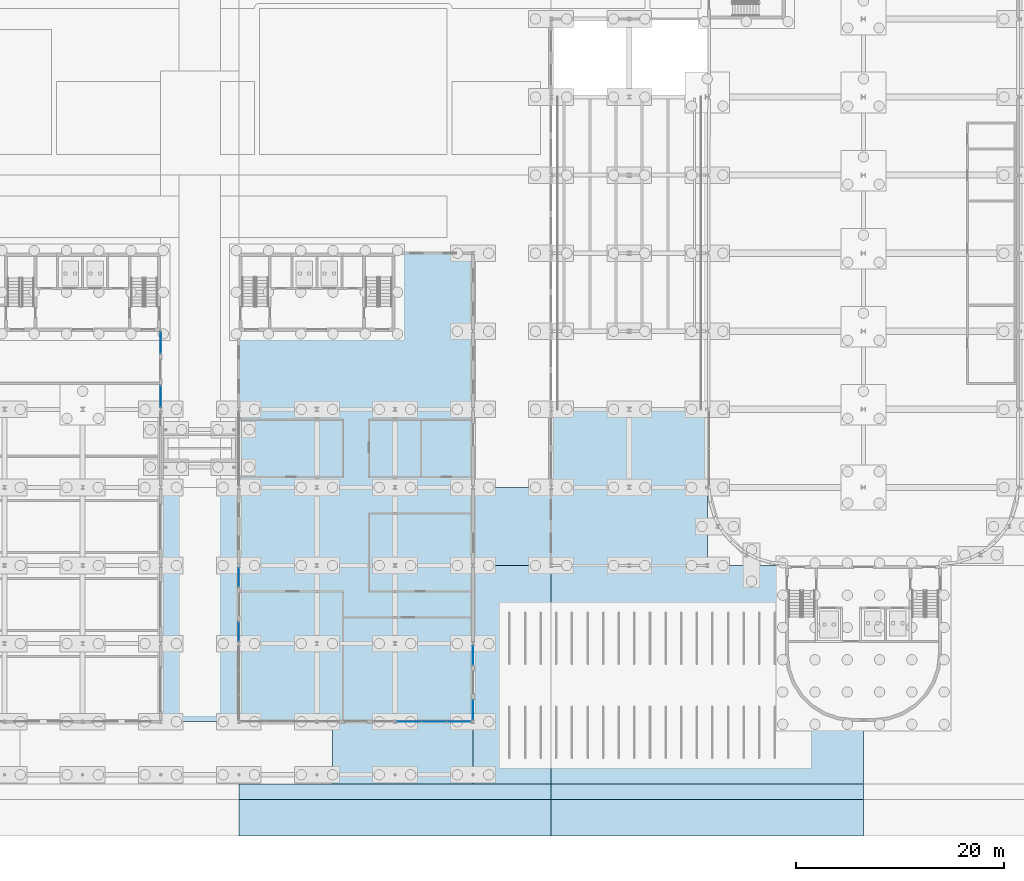
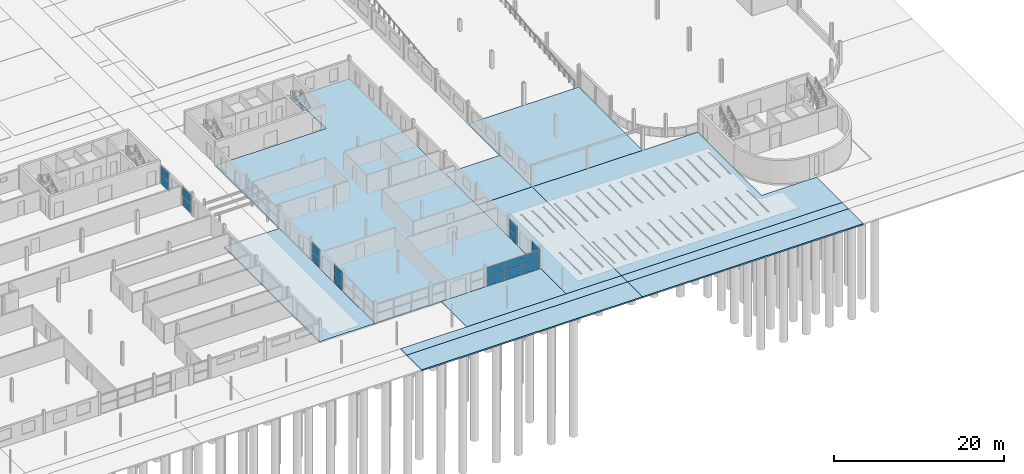
# One storey, part 71 of 130: 18 plates, 11 slabs, 7 elements without a shape of their own.
"""IFC4 building model written with IfcOpenShell, lengths in metres."""

from ifc_helpers import new_model, si_unit, direction, frame, origin, origin_2d, place, context, subcontext, project, spatial, polyline, rectangle, outline, extrude, material, layer, layer_set, type_object, element, aggregate, save


model = new_model("IFC4")

# Units and contexts
model_context = context("Model", 3, precision=1e-05, world=origin(), true_north=direction((0.0, 1.0)))
body_context = subcontext(model_context, "Body", "Model", "MODEL_VIEW")
ifc_project = project(units=[si_unit("LENGTHUNIT", "METRE"), si_unit("AREAUNIT", "SQUARE_METRE"), si_unit("VOLUMEUNIT", "CUBIC_METRE"), si_unit("PLANEANGLEUNIT", "RADIAN"), si_unit("MASSUNIT", "GRAM", prefix="KILO")], contexts=[model_context])

# Site, building, storey
site_placement = place(None, origin())
site = spatial("IfcSite", under=ifc_project, at=site_placement, CompositionType="ELEMENT")
building_placement = place(site_placement, origin())
building = spatial("IfcBuilding", under=site, at=building_placement, Name="Parallax Yard Mobility Hub", CompositionType="ELEMENT")
storey_placement = place(building_placement, origin())
storey = spatial("IfcBuildingStorey", under=building, at=storey_placement, Name="L00", CompositionType="ELEMENT", Elevation=0.0)

# Slabs
ifc_material_1 = material(Name="Concrete fc' 28 MPa", Category="concrete")
ifc_layer_1 = layer(ifc_material_1, 0.1201171875)
ifc_layer_set_1 = layer_set([ifc_layer_1], Name="Arcade floor paving 120")
slab_type_1 = type_object("IfcSlabType", Name="Arcade floor paving 120", PredefinedType="FLOOR", material=ifc_layer_set_1)
slab_1_placement = place(storey_placement, frame((0.0, 0.0, -0.1201171875)))
element("IfcSlab", 1, at=slab_1_placement, inside=storey, type_object=slab_type_1, Name="Arcade paving panel 6", PredefinedType="FLOOR", context=body_context, shape_type="SweptSolid", body=[
    extrude(outline(polyline([(172.5, 1.5), (172.5, 7.5), (159.0, 7.5), (159.0, 1.5), (172.5, 1.5)])), origin(), (0.0, 0.0, 1.0), 0.1201171875),
])
ifc_layer_2 = layer(ifc_material_1, 0.179931640625)
ifc_layer_set_2 = layer_set([ifc_layer_2], Name="Forecourt apron paving 180")
slab_type_2 = type_object("IfcSlabType", Name="Forecourt apron paving 180", PredefinedType="FLOOR", material=ifc_layer_set_2)
slab_2_placement = place(storey_placement, frame((0.0, 0.0, -0.179931640625)))
element("IfcSlab", 2, at=slab_2_placement, inside=storey, type_object=slab_type_2, Name="Forecourt apron paving panel 1", PredefinedType="FLOOR", context=body_context, shape_type="SweptSolid", body=[
    extrude(outline(polyline([(172.5, 7.4990234375), (172.5, 7.4990234375), (172.500244140625, 7.4990234375), (172.500244140625, 7.4990234375), (172.50048828125, 7.4990234375), (172.50048828125, 7.4990234375), (172.50048828125, 7.499267578125), (172.50048828125, 7.499267578125), (172.500732421875, 7.499267578125), (172.500732421875, 7.49951171875), (172.500732421875, 7.49951171875), (172.5009765625, 7.49951171875), (172.5009765625, 7.49951171875), (172.5009765625, 7.499755859375), (172.5009765625, 7.499755859375), (172.5009765625, 7.5), (172.5009765625, 7.5), (172.5009765625, 17.425048828125), (172.5009765625, 17.425048828125), (172.5009765625, 17.42529296875), (172.5009765625, 17.42529296875), (172.5009765625, 17.42529296875), (172.5009765625, 17.425537109375), (172.500732421875, 17.425537109375), (172.500732421875, 17.425537109375), (172.500732421875, 17.42578125), (172.50048828125, 17.42578125), (172.50048828125, 17.42578125), (172.50048828125, 17.42578125), (172.50048828125, 17.42578125), (172.500244140625, 17.426025390625), (172.500244140625, 17.426025390625), (172.5, 17.426025390625), (172.5, 17.426025390625), (172.5, 17.573974609375), (172.5, 17.573974609375), (172.500244140625, 17.573974609375), (172.500244140625, 17.573974609375), (172.50048828125, 17.57421875), (172.50048828125, 17.57421875), (172.50048828125, 17.57421875), (172.50048828125, 17.57421875), (172.500732421875, 17.57421875), (172.500732421875, 17.574462890625), (172.500732421875, 17.574462890625), (172.5009765625, 17.574462890625), (172.5009765625, 17.57470703125), (172.5009765625, 17.57470703125), (172.5009765625, 17.57470703125), (172.5009765625, 17.574951171875), (172.5009765625, 17.574951171875), (172.5009765625, 19.925048828125), (172.5009765625, 19.925048828125), (172.5009765625, 19.92529296875), (172.5009765625, 19.92529296875), (172.5009765625, 19.92529296875), (172.5009765625, 19.925537109375), (172.500732421875, 19.925537109375), (172.500732421875, 19.925537109375), (172.500732421875, 19.92578125), (172.50048828125, 19.92578125), (172.50048828125, 19.92578125), (172.50048828125, 19.92578125), (172.50048828125, 19.92578125), (172.500244140625, 19.926025390625), (172.500244140625, 19.926025390625), (172.5, 19.926025390625), (172.5, 19.926025390625), (172.5, 20.073974609375), (172.5, 20.073974609375), (172.500244140625, 20.073974609375), (172.500244140625, 20.073974609375), (172.50048828125, 20.07421875), (172.50048828125, 20.07421875), (172.50048828125, 20.07421875), (172.50048828125, 20.07421875), (172.500732421875, 20.07421875), (172.500732421875, 20.074462890625), (172.500732421875, 20.074462890625), (172.5009765625, 20.074462890625), (172.5009765625, 20.07470703125), (172.5009765625, 20.07470703125), (172.5009765625, 20.07470703125), (172.5009765625, 20.074951171875), (172.5009765625, 20.074951171875), (172.5009765625, 22.5), (180.0, 22.5), (180.0, 1.5), (172.5, 1.5), (172.5, 7.4990234375)])), origin(), (0.0, 0.0, 1.0), 0.179931640625),
])
slab_3_placement = place(storey_placement, frame((0.0, 0.0, -0.179931640625)))
element("IfcSlab", 3, at=slab_3_placement, inside=storey, type_object=slab_type_2, Name="Forecourt apron paving panel 2", PredefinedType="FLOOR", context=body_context, shape_type="SweptSolid", body=[
    extrude(outline(polyline([(195.0, 22.5), (202.48974609375, 22.5), (202.5, 22.4990234375), (202.5, 22.4990234375), (202.5, 7.5), (210.0, 7.5), (210.0, 1.5), (180.0, 1.5), (180.0, 22.5), (195.0, 22.5)])), origin(), (0.0, 0.0, 1.0), 0.179931640625),
])

# Curtain wall, plates
ifc_material_2 = material(Name="Thermally broken aluminium curtain wall system", Category="aluminium")
curtain_wall_type = type_object("IfcCurtainWallType", Name="Curtain wall run 60 x 160 frame", PredefinedType="NOTDEFINED", material=ifc_material_2)
curtain_wall_1_placement = place(storey_placement, origin())
curtain_wall_1 = element("IfcCurtainWall", 4, at=curtain_wall_1_placement, inside=storey, type_object=curtain_wall_type, Name="Curtain wall run Bicycle and shared-mobility hall south bay 3 level L00", PredefinedType="NOTDEFINED")
ifc_material_3 = material(Name="Laminated low-E double glazing", Category="glass")
ifc_layer_3 = layer(ifc_material_3, 0.028076171875)
ifc_layer_set_3 = layer_set([ifc_layer_3], Name="Glazing panel 28")
plate_type = type_object("IfcPlateType", Name="Glazing panel 28", PredefinedType="CURTAIN_PANEL", material=ifc_layer_set_3)
plate_1_placement = place(storey_placement, frame((166.367431640625, 7.5, 0.06005859375), z_axis=(0.0, 0.0, 1.0), x_axis=(1.0, 0.0, 0.0)))
plate_1 = element("IfcPlate", 5, at=plate_1_placement, type_object=plate_type, Name="CW1 panel 1.1", PredefinedType="CURTAIN_PANEL", context=body_context, shape_type="SweptSolid", body=[
    extrude(rectangle(XDim=2.3076171875, YDim=0.028076171875, at=origin_2d()), origin(), (0.0, 0.0, 1.0), 1.285400390625),
])
plate_2_placement = place(storey_placement, frame((166.367431640625, 7.5, 1.40576171875), z_axis=(0.0, 0.0, 1.0), x_axis=(1.0, 0.0, 0.0)))
plate_2 = element("IfcPlate", 6, at=plate_2_placement, type_object=plate_type, Name="CW1 panel 1.2", PredefinedType="CURTAIN_PANEL", context=body_context, shape_type="SweptSolid", body=[
    extrude(rectangle(XDim=2.3076171875, YDim=0.028076171875, at=origin_2d()), origin(), (0.0, 0.0, 1.0), 1.285400390625),
])
plate_3_placement = place(storey_placement, frame((168.75, 7.5, 0.06005859375), z_axis=(0.0, 0.0, 1.0), x_axis=(1.0, 0.0, 0.0)))
plate_3 = element("IfcPlate", 7, at=plate_3_placement, type_object=plate_type, Name="CW1 panel 2.1", PredefinedType="CURTAIN_PANEL", context=body_context, shape_type="SweptSolid", body=[
    extrude(rectangle(XDim=2.337646484375, YDim=0.028076171875, at=origin_2d()), origin(), (0.0, 0.0, 1.0), 1.285400390625),
])
plate_4_placement = place(storey_placement, frame((168.75, 7.5, 1.40576171875), z_axis=(0.0, 0.0, 1.0), x_axis=(1.0, 0.0, 0.0)))
plate_4 = element("IfcPlate", 8, at=plate_4_placement, type_object=plate_type, Name="CW1 panel 2.2", PredefinedType="CURTAIN_PANEL", context=body_context, shape_type="SweptSolid", body=[
    extrude(rectangle(XDim=2.337646484375, YDim=0.028076171875, at=origin_2d()), origin(), (0.0, 0.0, 1.0), 1.285400390625),
])
plate_5_placement = place(storey_placement, frame((171.132568359375, 7.5, 0.06005859375), z_axis=(0.0, 0.0, 1.0), x_axis=(1.0, 0.0, 0.0)))
plate_5 = element("IfcPlate", 9, at=plate_5_placement, type_object=plate_type, Name="CW1 panel 3.1", PredefinedType="CURTAIN_PANEL", context=body_context, shape_type="SweptSolid", body=[
    extrude(rectangle(XDim=2.3076171875, YDim=0.028076171875, at=origin_2d()), origin(), (0.0, 0.0, 1.0), 1.285400390625),
])
plate_6_placement = place(storey_placement, frame((171.132568359375, 7.5, 1.40576171875), z_axis=(0.0, 0.0, 1.0), x_axis=(1.0, 0.0, 0.0)))
plate_6 = element("IfcPlate", 10, at=plate_6_placement, type_object=plate_type, Name="CW1 panel 3.2", PredefinedType="CURTAIN_PANEL", context=body_context, shape_type="SweptSolid", body=[
    extrude(rectangle(XDim=2.3076171875, YDim=0.028076171875, at=origin_2d()), origin(), (0.0, 0.0, 1.0), 1.285400390625),
])
aggregate(curtain_wall_1, [plate_1, plate_2, plate_3, plate_4, plate_5, plate_6])

curtain_wall_2_placement = place(storey_placement, origin())
curtain_wall_2 = element("IfcCurtainWall", 11, at=curtain_wall_2_placement, inside=storey, type_object=curtain_wall_type, Name="Curtain wall run Bicycle and shared-mobility hall east bay 1 level L00", PredefinedType="NOTDEFINED")
plate_7_placement = place(storey_placement, frame((172.5, 8.626708984375, 0.06005859375), z_axis=(0.0, 0.0, 1.0), x_axis=(0.0, 1.0, 0.0)))
plate_7 = element("IfcPlate", 12, at=plate_7_placement, type_object=plate_type, Name="CW1 panel 1.1", PredefinedType="CURTAIN_PANEL", context=body_context, shape_type="SweptSolid", body=[
    extrude(rectangle(XDim=1.826416015625, YDim=0.028076171875, at=origin_2d()), origin(), (0.0, 0.0, 1.0), 1.285400390625),
])
plate_8_placement = place(storey_placement, frame((172.5, 8.626708984375, 1.40576171875), z_axis=(0.0, 0.0, 1.0), x_axis=(0.0, 1.0, 0.0)))
plate_8 = element("IfcPlate", 13, at=plate_8_placement, type_object=plate_type, Name="CW1 panel 1.2", PredefinedType="CURTAIN_PANEL", context=body_context, shape_type="SweptSolid", body=[
    extrude(rectangle(XDim=1.826416015625, YDim=0.028076171875, at=origin_2d()), origin(), (0.0, 0.0, 1.0), 1.285400390625),
])
aggregate(curtain_wall_2, [plate_7, plate_8])

curtain_wall_3_placement = place(storey_placement, origin())
curtain_wall_3 = element("IfcCurtainWall", 14, at=curtain_wall_3_placement, inside=storey, type_object=curtain_wall_type, Name="Curtain wall run Bicycle and shared-mobility hall east bay 1 level L00", PredefinedType="NOTDEFINED")
plate_9_placement = place(storey_placement, frame((172.5, 13.873291015625, 0.06005859375), z_axis=(0.0, 0.0, 1.0), x_axis=(0.0, 1.0, 0.0)))
plate_9 = element("IfcPlate", 15, at=plate_9_placement, type_object=plate_type, Name="CW1 panel 1.1", PredefinedType="CURTAIN_PANEL", context=body_context, shape_type="SweptSolid", body=[
    extrude(rectangle(XDim=1.826416015625, YDim=0.028076171875, at=origin_2d()), origin(), (0.0, 0.0, 1.0), 1.285400390625),
])
plate_10_placement = place(storey_placement, frame((172.5, 13.873291015625, 1.40576171875), z_axis=(0.0, 0.0, 1.0), x_axis=(0.0, 1.0, 0.0)))
plate_10 = element("IfcPlate", 16, at=plate_10_placement, type_object=plate_type, Name="CW1 panel 1.2", PredefinedType="CURTAIN_PANEL", context=body_context, shape_type="SweptSolid", body=[
    extrude(rectangle(XDim=1.826416015625, YDim=0.028076171875, at=origin_2d()), origin(), (0.0, 0.0, 1.0), 1.285400390625),
])
aggregate(curtain_wall_3, [plate_9, plate_10])

curtain_wall_4_placement = place(storey_placement, origin())
curtain_wall_4 = element("IfcCurtainWall", 17, at=curtain_wall_4_placement, inside=storey, type_object=curtain_wall_type, Name="Curtain wall run Bicycle and shared-mobility hall west bay 2 level L00", PredefinedType="NOTDEFINED")
plate_11_placement = place(storey_placement, frame((150.0, 16.126708984375, 0.06005859375), z_axis=(0.0, 0.0, 1.0), x_axis=(0.0, 1.0, 0.0)))
plate_11 = element("IfcPlate", 18, at=plate_11_placement, type_object=plate_type, Name="CW1 panel 1.1", PredefinedType="CURTAIN_PANEL", context=body_context, shape_type="SweptSolid", body=[
    extrude(rectangle(XDim=1.826416015625, YDim=0.028076171875, at=origin_2d()), origin(), (0.0, 0.0, 1.0), 1.285400390625),
])
plate_12_placement = place(storey_placement, frame((150.0, 16.126708984375, 1.40576171875), z_axis=(0.0, 0.0, 1.0), x_axis=(0.0, 1.0, 0.0)))
plate_12 = element("IfcPlate", 19, at=plate_12_placement, type_object=plate_type, Name="CW1 panel 1.2", PredefinedType="CURTAIN_PANEL", context=body_context, shape_type="SweptSolid", body=[
    extrude(rectangle(XDim=1.826416015625, YDim=0.028076171875, at=origin_2d()), origin(), (0.0, 0.0, 1.0), 1.285400390625),
])
aggregate(curtain_wall_4, [plate_11, plate_12])

curtain_wall_5_placement = place(storey_placement, origin())
curtain_wall_5 = element("IfcCurtainWall", 20, at=curtain_wall_5_placement, inside=storey, type_object=curtain_wall_type, Name="Curtain wall run Bicycle and shared-mobility hall west bay 2 level L00", PredefinedType="NOTDEFINED")
plate_13_placement = place(storey_placement, frame((150.0, 21.373291015625, 0.06005859375), z_axis=(0.0, 0.0, 1.0), x_axis=(0.0, 1.0, 0.0)))
plate_13 = element("IfcPlate", 21, at=plate_13_placement, type_object=plate_type, Name="CW1 panel 1.1", PredefinedType="CURTAIN_PANEL", context=body_context, shape_type="SweptSolid", body=[
    extrude(rectangle(XDim=1.826416015625, YDim=0.028076171875, at=origin_2d()), origin(), (0.0, 0.0, 1.0), 1.285400390625),
])
plate_14_placement = place(storey_placement, frame((150.0, 21.373291015625, 1.40576171875), z_axis=(0.0, 0.0, 1.0), x_axis=(0.0, 1.0, 0.0)))
plate_14 = element("IfcPlate", 22, at=plate_14_placement, type_object=plate_type, Name="CW1 panel 1.2", PredefinedType="CURTAIN_PANEL", context=body_context, shape_type="SweptSolid", body=[
    extrude(rectangle(XDim=1.826416015625, YDim=0.028076171875, at=origin_2d()), origin(), (0.0, 0.0, 1.0), 1.285400390625),
])
aggregate(curtain_wall_5, [plate_13, plate_14])

curtain_wall_6_placement = place(storey_placement, origin())
curtain_wall_6 = element("IfcCurtainWall", 23, at=curtain_wall_6_placement, inside=storey, type_object=curtain_wall_type, Name="Curtain wall run Mobility service centre and workshops east bay 5 level L00", PredefinedType="NOTDEFINED")
plate_15_placement = place(storey_placement, frame((142.5, 38.74609375, 0.06005859375), z_axis=(0.0, 0.0, 1.0), x_axis=(0.0, 1.0, 0.0)))
plate_15 = element("IfcPlate", 24, at=plate_15_placement, type_object=plate_type, Name="CW1 panel 1.1", PredefinedType="CURTAIN_PANEL", context=body_context, shape_type="SweptSolid", body=[
    extrude(rectangle(XDim=2.04931640625, YDim=0.028076171875, at=origin_2d()), origin(), (0.0, 0.0, 1.0), 1.285400390625),
])
plate_16_placement = place(storey_placement, frame((142.5, 38.74609375, 1.40576171875), z_axis=(0.0, 0.0, 1.0), x_axis=(0.0, 1.0, 0.0)))
plate_16 = element("IfcPlate", 25, at=plate_16_placement, type_object=plate_type, Name="CW1 panel 1.2", PredefinedType="CURTAIN_PANEL", context=body_context, shape_type="SweptSolid", body=[
    extrude(rectangle(XDim=2.04931640625, YDim=0.028076171875, at=origin_2d()), origin(), (0.0, 0.0, 1.0), 1.285400390625),
])
aggregate(curtain_wall_6, [plate_15, plate_16])

curtain_wall_7_placement = place(storey_placement, origin())
curtain_wall_7 = element("IfcCurtainWall", 26, at=curtain_wall_7_placement, inside=storey, type_object=curtain_wall_type, Name="Curtain wall run Mobility service centre and workshops east bay 5 level L00", PredefinedType="NOTDEFINED")
plate_17_placement = place(storey_placement, frame((142.5, 43.915283203125, 0.06005859375), z_axis=(0.0, 0.0, 1.0), x_axis=(0.0, 1.0, 0.0)))
plate_17 = element("IfcPlate", 27, at=plate_17_placement, type_object=plate_type, Name="CW1 panel 1.1", PredefinedType="CURTAIN_PANEL", context=body_context, shape_type="SweptSolid", body=[
    extrude(rectangle(XDim=2.04931640625, YDim=0.028076171875, at=origin_2d()), origin(), (0.0, 0.0, 1.0), 1.285400390625),
])
plate_18_placement = place(storey_placement, frame((142.5, 43.915283203125, 1.40576171875), z_axis=(0.0, 0.0, 1.0), x_axis=(0.0, 1.0, 0.0)))
plate_18 = element("IfcPlate", 28, at=plate_18_placement, type_object=plate_type, Name="CW1 panel 1.2", PredefinedType="CURTAIN_PANEL", context=body_context, shape_type="SweptSolid", body=[
    extrude(rectangle(XDim=2.04931640625, YDim=0.028076171875, at=origin_2d()), origin(), (0.0, 0.0, 1.0), 1.285400390625),
])
aggregate(curtain_wall_7, [plate_17, plate_18])

# Slabs
ifc_layer_4 = layer(ifc_material_1, 0.199951171875)
ifc_layer_set_4 = layer_set([ifc_layer_4], Name="Ground slab 200")
slab_type_3 = type_object("IfcSlabType", Name="Ground slab 200", PredefinedType="BASESLAB", material=ifc_layer_set_4)
slab_4_placement = place(storey_placement, frame((0.0, 0.0, -0.199951171875)))
element("IfcSlab", 29, at=slab_4_placement, inside=storey, type_object=slab_type_3, Name="Ground slab of the bicycle and shared-mobility hall", PredefinedType="BASESLAB", context=body_context, shape_type="SweptSolid", body=[
    extrude(outline(polyline([(172.5, 52.5), (165.0, 52.5), (165.0, 45.0), (150.0, 45.0), (150.0, 7.5), (172.5, 7.5), (172.5, 52.5)])), origin(), (0.0, 0.0, 1.0), 0.199951171875),
])
slab_5_placement = place(storey_placement, frame((0.0, 0.0, -0.199951171875)))
element("IfcSlab", 30, at=slab_5_placement, inside=storey, type_object=slab_type_3, Name="Ground slab of the ramp house", PredefinedType="BASESLAB", context=body_context, shape_type="SweptSolid", body=[
    extrude(outline(polyline([(195.0, 22.5), (195.0, 37.5), (180.0, 37.5), (180.0, 22.5), (195.0, 22.5)])), origin(), (0.0, 0.0, 1.0), 0.199951171875),
])
ifc_layer_5 = layer(ifc_material_1, 0.14990234375)
ifc_layer_set_5 = layer_set([ifc_layer_5], Name="Public yard paving 150")
slab_type_4 = type_object("IfcSlabType", Name="Public yard paving 150", PredefinedType="FLOOR", material=ifc_layer_set_5)
slab_6_placement = place(storey_placement, frame((0.0, 0.0, -0.14990234375)))
element("IfcSlab", 31, at=slab_6_placement, inside=storey, type_object=slab_type_4, Name="Public yard paving panel 22", PredefinedType="FLOOR", context=body_context, shape_type="SweptSolid", body=[
    extrude(outline(polyline([(179.9990234375, 30.0), (179.9990234375, 29.999755859375), (179.9990234375, 29.999755859375), (179.9990234375, 29.99951171875), (179.9990234375, 29.99951171875), (179.999267578125, 29.99951171875), (179.999267578125, 29.99951171875), (179.999267578125, 29.999267578125), (179.99951171875, 29.999267578125), (179.99951171875, 29.999267578125), (179.99951171875, 29.9990234375), (179.99951171875, 29.9990234375), (179.999755859375, 29.9990234375), (179.999755859375, 29.9990234375), (180.0, 29.9990234375), (180.0, 29.9990234375), (180.0, 22.5), (172.5009765625, 22.5), (172.5009765625, 27.425048828125), (172.5009765625, 27.425048828125), (172.5009765625, 27.42529296875), (172.5009765625, 27.42529296875), (172.5009765625, 27.42529296875), (172.5009765625, 27.425537109375), (172.500732421875, 27.425537109375), (172.500732421875, 27.425537109375), (172.500732421875, 27.42578125), (172.50048828125, 27.42578125), (172.50048828125, 27.42578125), (172.50048828125, 27.42578125), (172.50048828125, 27.42578125), (172.500244140625, 27.426025390625), (172.500244140625, 27.426025390625), (172.5, 27.426025390625), (172.5, 27.426025390625), (172.5, 27.573974609375), (172.5, 27.573974609375), (172.500244140625, 27.573974609375), (172.500244140625, 27.573974609375), (172.50048828125, 27.57421875), (172.50048828125, 27.57421875), (172.50048828125, 27.57421875), (172.50048828125, 27.57421875), (172.500732421875, 27.57421875), (172.500732421875, 27.574462890625), (172.500732421875, 27.574462890625), (172.5009765625, 27.574462890625), (172.5009765625, 27.57470703125), (172.5009765625, 27.57470703125), (172.5009765625, 27.57470703125), (172.5009765625, 27.574951171875), (172.5009765625, 27.574951171875), (172.5009765625, 30.0), (179.9990234375, 30.0), (179.9990234375, 30.0)])), origin(), (0.0, 0.0, 1.0), 0.14990234375),
])
ifc_layer_6 = layer(ifc_material_1, 0.219970703125)
ifc_layer_set_6 = layer_set([ifc_layer_6], Name="Service lane paving 220")
slab_type_5 = type_object("IfcSlabType", Name="Service lane paving 220", PredefinedType="FLOOR", material=ifc_layer_set_6)
slab_7_placement = place(storey_placement, frame((0.0, 0.0, -0.219970703125)))
element("IfcSlab", 32, at=slab_7_placement, inside=storey, type_object=slab_type_5, Name="Service lane paving panel 1", PredefinedType="FLOOR", context=body_context, shape_type="SweptSolid", body=[
    extrude(outline(polyline([(149.9990234375, 20.10009765625), (149.9990234375, 20.099853515625), (149.9990234375, 20.099853515625), (149.9990234375, 20.099609375), (149.9990234375, 20.099609375), (149.9990234375, 20.099609375), (149.999267578125, 20.099365234375), (149.999267578125, 20.099365234375), (149.999267578125, 20.099365234375), (149.99951171875, 20.09912109375), (149.99951171875, 20.09912109375), (149.99951171875, 20.09912109375), (149.99951171875, 20.09912109375), (149.999755859375, 20.09912109375), (149.999755859375, 20.09912109375), (150.0, 20.09912109375), (150.0, 20.09912109375), (150.0, 19.90087890625), (150.0, 19.90087890625), (149.999755859375, 19.90087890625), (149.999755859375, 19.90087890625), (149.99951171875, 19.90087890625), (149.99951171875, 19.90087890625), (149.99951171875, 19.90087890625), (149.99951171875, 19.90087890625), (149.999267578125, 19.900634765625), (149.999267578125, 19.900634765625), (149.999267578125, 19.900634765625), (149.9990234375, 19.900390625), (149.9990234375, 19.900390625), (149.9990234375, 19.900390625), (149.9990234375, 19.900146484375), (149.9990234375, 19.900146484375), (149.9990234375, 19.89990234375), (149.9990234375, 7.5), (142.5009765625, 7.5), (142.5009765625, 13.64990234375), (142.5009765625, 13.650146484375), (142.5009765625, 13.650146484375), (142.5009765625, 13.650390625), (142.5009765625, 13.650390625), (142.5009765625, 13.650390625), (142.500732421875, 13.650634765625), (142.500732421875, 13.650634765625), (142.500732421875, 13.650634765625), (142.50048828125, 13.65087890625), (142.50048828125, 13.65087890625), (142.50048828125, 13.65087890625), (142.50048828125, 13.65087890625), (142.500244140625, 13.65087890625), (142.500244140625, 13.65087890625), (142.5, 13.65087890625), (142.5, 13.65087890625), (142.5, 13.84912109375), (142.5, 13.84912109375), (142.500244140625, 13.84912109375), (142.500244140625, 13.84912109375), (142.50048828125, 13.84912109375), (142.50048828125, 13.84912109375), (142.50048828125, 13.84912109375), (142.50048828125, 13.84912109375), (142.500732421875, 13.849365234375), (142.500732421875, 13.849365234375), (142.500732421875, 13.849365234375), (142.5009765625, 13.849609375), (142.5009765625, 13.849609375), (142.5009765625, 13.849609375), (142.5009765625, 13.849853515625), (142.5009765625, 13.849853515625), (142.5009765625, 13.85009765625), (142.5009765625, 16.14990234375), (142.5009765625, 16.150146484375), (142.5009765625, 16.150146484375), (142.5009765625, 16.150390625), (142.5009765625, 16.150390625), (142.5009765625, 16.150390625), (142.500732421875, 16.150634765625), (142.500732421875, 16.150634765625), (142.500732421875, 16.150634765625), (142.50048828125, 16.15087890625), (142.50048828125, 16.15087890625), (142.50048828125, 16.15087890625), (142.50048828125, 16.15087890625), (142.500244140625, 16.15087890625), (142.500244140625, 16.15087890625), (142.5, 16.15087890625), (142.5, 16.15087890625), (142.5, 16.34912109375), (142.5, 16.34912109375), (142.500244140625, 16.34912109375), (142.500244140625, 16.34912109375), (142.50048828125, 16.34912109375), (142.50048828125, 16.34912109375), (142.50048828125, 16.34912109375), (142.50048828125, 16.34912109375), (142.500732421875, 16.349365234375), (142.500732421875, 16.349365234375), (142.500732421875, 16.349365234375), (142.5009765625, 16.349609375), (142.5009765625, 16.349609375), (142.5009765625, 16.349609375), (142.5009765625, 16.349853515625), (142.5009765625, 16.349853515625), (142.5009765625, 16.35009765625), (142.5009765625, 21.14990234375), (142.5009765625, 21.150146484375), (142.5009765625, 21.150146484375), (142.5009765625, 21.150390625), (142.5009765625, 21.150390625), (142.5009765625, 21.150390625), (142.500732421875, 21.150634765625), (142.500732421875, 21.150634765625), (142.500732421875, 21.150634765625), (142.50048828125, 21.15087890625), (142.50048828125, 21.15087890625), (142.50048828125, 21.15087890625), (142.50048828125, 21.15087890625), (142.500244140625, 21.15087890625), (142.500244140625, 21.15087890625), (142.5, 21.15087890625), (142.5, 21.15087890625), (142.5, 21.34912109375), (142.5, 21.34912109375), (142.500244140625, 21.34912109375), (142.500244140625, 21.34912109375), (142.50048828125, 21.34912109375), (142.50048828125, 21.34912109375), (142.50048828125, 21.34912109375), (142.50048828125, 21.34912109375), (142.500732421875, 21.349365234375), (142.500732421875, 21.349365234375), (142.500732421875, 21.349365234375), (142.5009765625, 21.349609375), (142.5009765625, 21.349609375), (142.5009765625, 21.349609375), (142.5009765625, 21.349853515625), (142.5009765625, 21.349853515625), (142.5009765625, 21.35009765625), (142.5009765625, 23.64990234375), (142.5009765625, 23.650146484375), (142.5009765625, 23.650146484375), (142.5009765625, 23.650390625), (142.5009765625, 23.650390625), (142.5009765625, 23.650390625), (142.500732421875, 23.650634765625), (142.500732421875, 23.650634765625), (142.500732421875, 23.650634765625), (142.50048828125, 23.65087890625), (142.50048828125, 23.65087890625), (142.50048828125, 23.65087890625), (142.50048828125, 23.65087890625), (142.500244140625, 23.65087890625), (142.500244140625, 23.65087890625), (142.5, 23.65087890625), (142.5, 23.65087890625), (142.5, 23.84912109375), (142.5, 23.84912109375), (142.500244140625, 23.84912109375), (142.500244140625, 23.84912109375), (142.50048828125, 23.84912109375), (142.50048828125, 23.84912109375), (142.50048828125, 23.84912109375), (142.50048828125, 23.84912109375), (142.500732421875, 23.849365234375), (142.500732421875, 23.849365234375), (142.500732421875, 23.849365234375), (142.5009765625, 23.849609375), (142.5009765625, 23.849609375), (142.5009765625, 23.849609375), (142.5009765625, 23.849853515625), (142.5009765625, 23.849853515625), (142.5009765625, 23.85009765625), (142.5009765625, 28.64990234375), (142.5009765625, 28.650146484375), (142.5009765625, 28.650146484375), (142.5009765625, 28.650390625), (142.5009765625, 28.650390625), (142.5009765625, 28.650390625), (142.500732421875, 28.650634765625), (142.500732421875, 28.650634765625), (142.500732421875, 28.650634765625), (142.50048828125, 28.65087890625), (142.50048828125, 28.65087890625), (142.50048828125, 28.65087890625), (142.50048828125, 28.65087890625), (142.500244140625, 28.65087890625), (142.500244140625, 28.65087890625), (142.5, 28.65087890625), (142.5, 28.65087890625), (142.5, 28.84912109375), (142.5, 28.84912109375), (142.500244140625, 28.84912109375), (142.500244140625, 28.84912109375), (142.50048828125, 28.84912109375), (142.50048828125, 28.84912109375), (142.50048828125, 28.84912109375), (142.50048828125, 28.84912109375), (142.500732421875, 28.849365234375), (142.500732421875, 28.849365234375), (142.500732421875, 28.849365234375), (142.5009765625, 28.849609375), (142.5009765625, 28.849609375), (142.5009765625, 28.849609375), (142.5009765625, 28.849853515625), (142.5009765625, 28.849853515625), (142.5009765625, 28.85009765625), (142.5009765625, 30.0), (149.9990234375, 30.0), (149.9990234375, 20.10009765625)])), origin(), (0.0, 0.0, 1.0), 0.219970703125),
])
ifc_layer_7 = layer(ifc_material_1, 0.199951171875)
ifc_layer_set_7 = layer_set([ifc_layer_7], Name="Street apron paving 200")
slab_type_6 = type_object("IfcSlabType", Name="Street apron paving 200", PredefinedType="FLOOR", material=ifc_layer_set_7)
slab_8_placement = place(storey_placement, frame((0.0, 0.0, -0.199951171875)))
element("IfcSlab", 33, at=slab_8_placement, inside=storey, type_object=slab_type_6, Name="Street apron paving panel 11", PredefinedType="FLOOR", context=body_context, shape_type="SweptSolid", body=[
    extrude(outline(polyline([(150.0, -3.5), (150.0, 0.0), (180.0, 0.0), (180.0, -3.5), (150.0, -3.5)])), origin(), (0.0, 0.0, 1.0), 0.199951171875),
])
slab_9_placement = place(storey_placement, frame((0.0, 0.0, -0.199951171875)))
element("IfcSlab", 34, at=slab_9_placement, inside=storey, type_object=slab_type_6, Name="Street apron paving panel 12", PredefinedType="FLOOR", context=body_context, shape_type="SweptSolid", body=[
    extrude(outline(polyline([(172.5, 1.5), (180.0, 1.5), (180.0, 0.0), (150.0, 0.0), (150.0, 1.5), (172.5, 1.5)])), origin(), (0.0, 0.0, 1.0), 0.199951171875),
])
slab_10_placement = place(storey_placement, frame((0.0, 0.0, -0.199951171875)))
element("IfcSlab", 35, at=slab_10_placement, inside=storey, type_object=slab_type_6, Name="Street apron paving panel 13", PredefinedType="FLOOR", context=body_context, shape_type="SweptSolid", body=[
    extrude(outline(polyline([(180.0, -3.5), (180.0, 0.0), (210.0, 0.0), (210.0, -3.5), (180.0, -3.5)])), origin(), (0.0, 0.0, 1.0), 0.199951171875),
])
slab_11_placement = place(storey_placement, frame((0.0, 0.0, -0.199951171875)))
element("IfcSlab", 36, at=slab_11_placement, inside=storey, type_object=slab_type_6, Name="Street apron paving panel 14", PredefinedType="FLOOR", context=body_context, shape_type="SweptSolid", body=[
    extrude(outline(polyline([(210.0, 1.5), (210.0, 0.0), (180.0, 0.0), (180.0, 1.5), (210.0, 1.5)])), origin(), (0.0, 0.0, 1.0), 0.199951171875),
])

save(model, "model.ifc")
